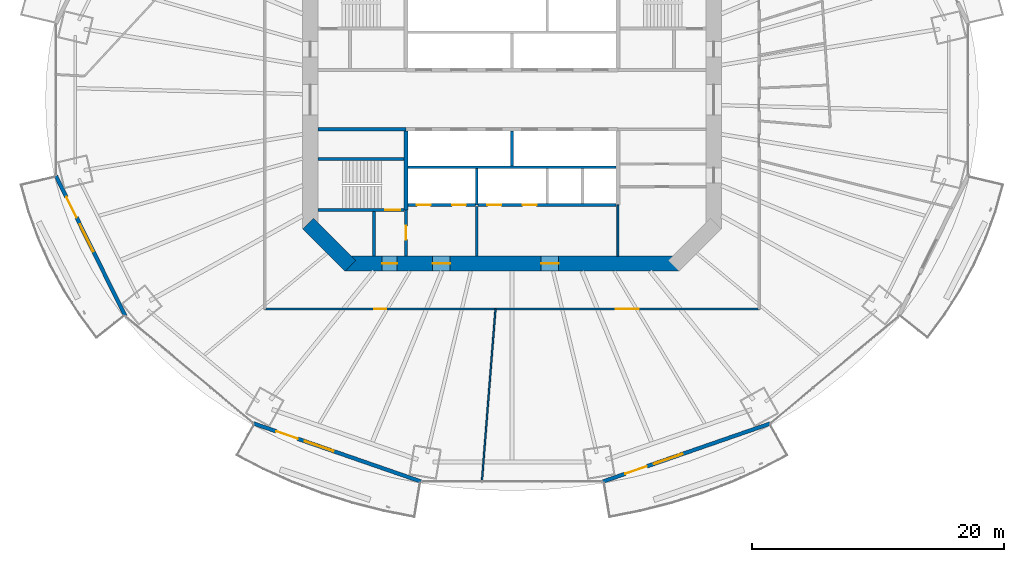
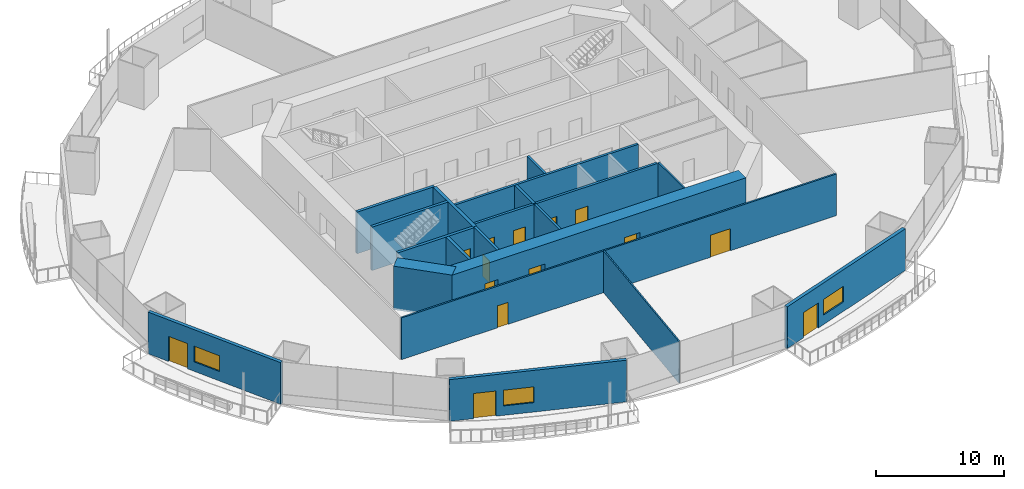
# One storey, part 14 of 23: 20 walls, 14 doors, 3 windows, 17 openings.
"""IFC4 building model written with IfcOpenShell, lengths in metres."""

from ifc_helpers import new_model, si_unit, direction, frame, frame_2d, origin, place, context, subcontext, project, spatial, rectangle, extrude, material, layer, layer_set, type_object, element, fill, save


model = new_model("IFC4")

# Units and contexts
model_context = context("Model", 3, precision=1e-05, world=origin(), true_north=direction((0.0, 1.0)))
body_context = subcontext(model_context, "Body", "Model", "MODEL_VIEW")
ifc_project = project(units=[si_unit("LENGTHUNIT", "METRE"), si_unit("AREAUNIT", "SQUARE_METRE"), si_unit("VOLUMEUNIT", "CUBIC_METRE"), si_unit("PLANEANGLEUNIT", "RADIAN"), si_unit("MASSUNIT", "GRAM", prefix="KILO")], contexts=[model_context])

# Site, building, storey
site_placement = place(None, origin())
site = spatial("IfcSite", under=ifc_project, at=site_placement, CompositionType="ELEMENT")
building_placement = place(site_placement, origin())
building = spatial("IfcBuilding", under=site, at=building_placement, Name="Marenthal Gate Tower", CompositionType="ELEMENT")
storey_placement = place(building_placement, frame((0.0, 0.0, 37.14990234375)))
storey = spatial("IfcBuildingStorey", under=building, at=storey_placement, Name="L05", CompositionType="ELEMENT", Elevation=37.14990234375)

# Wall
ifc_material_1 = material(Name="Concrete 60 MPa", Category="concrete")
ifc_layer_1 = layer(ifc_material_1, 1.199951171875)
ifc_layer_set_1 = layer_set([ifc_layer_1], Name="Core shear wall 1200")
wall_type_1 = type_object("IfcWallType", Name="Core shear wall 1200", PredefinedType="SHEAR", material=ifc_layer_set_1)
wall_1_placement = place(storey_placement, frame((-16.17578125, -9.82421875, -0.179931640625), z_axis=(0.0, 0.0, 1.0), x_axis=(0.707106781187, -0.707106781187, 0.0)))
element("IfcWall", 1, at=wall_1_placement, inside=storey, type_object=wall_type_1, Name="Core wall 07", PredefinedType="SHEAR", context=body_context, shape_type="SweptSolid", body=[
    extrude(rectangle(XDim=4.73974609375, YDim=1.199951171875, at=frame_2d((2.369873046875, 0.0))), origin(), (0.0, 0.0, 1.0), 4.150146484375),
])

# Wall, openings, doors
wall_2_placement = place(storey_placement, frame((-13.24853515625, -13.0, -0.179931640625), z_axis=(0.0, 0.0, 1.0), x_axis=(1.0, 0.0, 0.0)))
wall_2 = element("IfcWall", 2, at=wall_2_placement, inside=storey, type_object=wall_type_1, Name="Core wall 08", PredefinedType="SHEAR", context=body_context, shape_type="SweptSolid", body=[
    extrude(rectangle(XDim=26.4970703125, YDim=1.199951171875, at=frame_2d((13.24853515625, 0.0))), origin(), (0.0, 0.0, 1.0), 4.150146484375),
])
opening_1_placement = place(wall_2_placement, frame((2.948486328125, 0.0, 0.179931640625)))
opening_1 = element("IfcOpeningElement", 3, at=opening_1_placement, cuts=wall_2, Name="Opening D001.06", PredefinedType="OPENING", context=body_context, shape_type="SweptSolid", body=[
    extrude(rectangle(XDim=1.199951171875, YDim=2.10009765625, at=frame_2d((0.60009765625, 1.050048828125))), frame((0.0, 0.60986328125, 0.0), z_axis=(0.0, -1.0, 0.0), x_axis=(1.0, 0.0, 0.0)), (0.0, 0.0, 1.0), 1.219970703125),
])
opening_2_placement = place(wall_2_placement, frame((6.948486328125, 0.0, 0.179931640625)))
opening_2 = element("IfcOpeningElement", 4, at=opening_2_placement, cuts=wall_2, Name="Opening D004.01", PredefinedType="OPENING", context=body_context, shape_type="SweptSolid", body=[
    extrude(rectangle(XDim=1.39990234375, YDim=2.10009765625, at=frame_2d((0.699951171875, 1.050048828125))), frame((0.0, 0.60986328125, 0.0), z_axis=(0.0, -1.0, 0.0), x_axis=(1.0, 0.0, 0.0)), (0.0, 0.0, 1.0), 1.219970703125),
])
opening_3_placement = place(wall_2_placement, frame((15.548583984375, 0.0, 0.179931640625)))
opening_3 = element("IfcOpeningElement", 5, at=opening_3_placement, cuts=wall_2, Name="Opening D004.02", PredefinedType="OPENING", context=body_context, shape_type="SweptSolid", body=[
    extrude(rectangle(XDim=1.39990234375, YDim=2.10009765625, at=frame_2d((0.699951171875, 1.050048828125))), frame((0.0, 0.60986328125, 0.0), z_axis=(0.0, -1.0, 0.0), x_axis=(1.0, 0.0, 0.0)), (0.0, 0.0, 1.0), 1.219970703125),
])
ifc_material_2 = material(Name="Steel fire door", Category="steel")
door_type_1 = type_object("IfcDoorType", Name="Fire door FD 45 1400 x 2100", OperationType="NOTDEFINED", PredefinedType="DOOR", material=ifc_material_2)
door_1_placement = place(opening_2_placement, origin())
door_1 = element("IfcDoor", 6, at=door_1_placement, inside=storey, type_object=door_type_1, Name="Door D004.01", OperationType="SINGLE_SWING_RIGHT", OverallHeight=2.10009765625, OverallWidth=1.39990234375, PredefinedType="DOOR", context=body_context, shape_type="SweptSolid", body=[
    extrude(rectangle(XDim=1.39990234375, YDim=2.10009765625, at=frame_2d((0.699951171875, 1.050048828125))), frame((0.0, 0.02490234375, 0.0), z_axis=(0.0, -1.0, 0.0), x_axis=(1.0, 0.0, 0.0)), (0.0, 0.0, 1.0), 0.050048828125),
])
fill(opening_2, door_1)
door_2_placement = place(opening_3_placement, origin())
door_2 = element("IfcDoor", 7, at=door_2_placement, inside=storey, type_object=door_type_1, Name="Door D004.02", OperationType="SINGLE_SWING_RIGHT", OverallHeight=2.10009765625, OverallWidth=1.39990234375, PredefinedType="DOOR", context=body_context, shape_type="SweptSolid", body=[
    extrude(rectangle(XDim=1.39990234375, YDim=2.10009765625, at=frame_2d((0.699951171875, 1.050048828125))), frame((0.0, 0.02490234375, 0.0), z_axis=(0.0, -1.0, 0.0), x_axis=(1.0, 0.0, 0.0)), (0.0, 0.0, 1.0), 0.050048828125),
])
fill(opening_3, door_2)
ifc_material_3 = material(Name="Steel fire door", Category="steel")
door_type_2 = type_object("IfcDoorType", Name="Fire door FD 90 1200 x 2100", OperationType="NOTDEFINED", PredefinedType="DOOR", material=ifc_material_3)
door_3_placement = place(opening_1_placement, origin())
door_3 = element("IfcDoor", 8, at=door_3_placement, inside=storey, type_object=door_type_2, Name="Door D001.06", OperationType="SINGLE_SWING_RIGHT", OverallHeight=2.10009765625, OverallWidth=1.199951171875, PredefinedType="DOOR", context=body_context, shape_type="SweptSolid", body=[
    extrude(rectangle(XDim=1.199951171875, YDim=2.10009765625, at=frame_2d((0.60009765625, 1.050048828125))), frame((0.0, 0.02490234375, 0.0), z_axis=(0.0, -1.0, 0.0), x_axis=(1.0, 0.0, 0.0)), (0.0, 0.0, 1.0), 0.050048828125),
])
fill(opening_1, door_3)

# Walls
ifc_material_4 = material(Name="Gypsum board on steel studs", Category="steel")
ifc_layer_2 = layer(ifc_material_4, 0.199951171875)
ifc_layer_set_2 = layer_set([ifc_layer_2], Name="Fire lobby wall 200")
wall_type_2 = type_object("IfcWallType", Name="Fire lobby wall 200", PredefinedType="PARTITIONING", material=ifc_layer_set_2)
wall_3_placement = place(storey_placement, frame((-2.800048828125, -12.39990234375, 0.0), z_axis=(0.0, 0.0, 1.0), x_axis=(0.0, 1.0, 0.0)))
element("IfcWall", 9, at=wall_3_placement, inside=storey, type_object=wall_type_2, Name="Fire wall 35", PredefinedType="PARTITIONING", context=body_context, shape_type="SweptSolid", body=[
    extrude(rectangle(XDim=3.93994140625, YDim=0.199951171875, at=frame_2d((1.969970703125, 0.0))), origin(), (0.0, 0.0, 1.0), 3.97021484375),
])
ifc_material_5 = material(Name="Concrete 50 MPa", Category="concrete")
ifc_layer_3 = layer(ifc_material_5, 0.300048828125)
ifc_layer_set_3 = layer_set([ifc_layer_3], Name="Hoistway shear wall 300")
wall_type_3 = type_object("IfcWallType", Name="Hoistway shear wall 300", PredefinedType="SHEAR", material=ifc_layer_set_3)
wall_4_placement = place(storey_placement, frame((-8.39990234375, -8.75, -0.179931640625), z_axis=(0.0, 0.0, 1.0), x_axis=(0.0, 1.0, 0.0)))
element("IfcWall", 10, at=wall_4_placement, inside=storey, type_object=wall_type_3, Name="Hoistway wall 31", PredefinedType="SHEAR", context=body_context, shape_type="SweptSolid", body=[
    extrude(rectangle(XDim=6.25, YDim=0.300048828125, at=frame_2d((3.125, 0.0))), origin(), (0.0, 0.0, 1.0), 4.150146484375),
])

# Wall, openings, doors
ifc_material_6 = material(Name="Concrete 40 MPa", Category="concrete")
ifc_layer_4 = layer(ifc_material_6, 0.219970703125)
ifc_layer_set_4 = layer_set([ifc_layer_4], Name="Hoistway wall 220")
wall_type_4 = type_object("IfcWallType", Name="Hoistway wall 220", PredefinedType="STANDARD", material=ifc_layer_set_4)
wall_5_placement = place(storey_placement, frame((-8.25, -8.35009765625, 0.0), z_axis=(0.0, 0.0, 1.0), x_axis=(1.0, 0.0, 0.0)))
wall_5 = element("IfcWall", 11, at=wall_5_placement, inside=storey, type_object=wall_type_4, Name="Hoistway wall 10", PredefinedType="STANDARD", context=body_context, shape_type="SweptSolid", body=[
    extrude(rectangle(XDim=5.340087890625, YDim=0.219970703125, at=frame_2d((2.669921875, 0.0))), origin(), (0.0, 0.0, 1.0), 3.97021484375),
])
opening_4_placement = place(wall_5_placement, frame((0.699951171875, 0.0, 0.0)))
opening_4 = element("IfcOpeningElement", 12, at=opening_4_placement, cuts=wall_5, Name="Opening LD-LF1", PredefinedType="OPENING", context=body_context, shape_type="SweptSolid", body=[
    extrude(rectangle(XDim=1.10009765625, YDim=2.10009765625, at=frame_2d((0.550048828125, 1.050048828125))), frame((0.0, 0.1201171875, 0.0), z_axis=(0.0, -1.0, 0.0), x_axis=(1.0, 0.0, 0.0)), (0.0, 0.0, 1.0), 0.239990234375),
])
opening_5_placement = place(wall_5_placement, frame((3.5, 0.0, 0.0)))
opening_5 = element("IfcOpeningElement", 13, at=opening_5_placement, cuts=wall_5, Name="Opening LD-LF2", PredefinedType="OPENING", context=body_context, shape_type="SweptSolid", body=[
    extrude(rectangle(XDim=1.10009765625, YDim=2.10009765625, at=frame_2d((0.550048828125, 1.050048828125))), frame((0.0, 0.1201171875, 0.0), z_axis=(0.0, -1.0, 0.0), x_axis=(1.0, 0.0, 0.0)), (0.0, 0.0, 1.0), 0.239990234375),
])
ifc_material_7 = material(Name="Stainless steel sliding door", Category="steel")
door_type_3 = type_object("IfcDoorType", Name="Lift landing door FD 90 1100 x 2100", OperationType="DOUBLE_DOOR_SLIDING", PredefinedType="DOOR", material=ifc_material_7)
door_4_placement = place(opening_4_placement, origin())
door_4 = element("IfcDoor", 14, at=door_4_placement, inside=storey, type_object=door_type_3, Name="Lift landing door LF1", OperationType="DOUBLE_DOOR_SLIDING", OverallHeight=2.10009765625, OverallWidth=1.10009765625, PredefinedType="DOOR", context=body_context, shape_type="SweptSolid", body=[
    extrude(rectangle(XDim=1.10009765625, YDim=2.10009765625, at=frame_2d((0.550048828125, 1.050048828125))), frame((0.0, 0.02490234375, 0.0), z_axis=(0.0, -1.0, 0.0), x_axis=(1.0, 0.0, 0.0)), (0.0, 0.0, 1.0), 0.050048828125),
])
fill(opening_4, door_4)
door_5_placement = place(opening_5_placement, origin())
door_5 = element("IfcDoor", 15, at=door_5_placement, inside=storey, type_object=door_type_3, Name="Lift landing door LF2", OperationType="DOUBLE_DOOR_SLIDING", OverallHeight=2.10009765625, OverallWidth=1.10009765625, PredefinedType="DOOR", context=body_context, shape_type="SweptSolid", body=[
    extrude(rectangle(XDim=1.10009765625, YDim=2.10009765625, at=frame_2d((0.550048828125, 1.050048828125))), frame((0.0, 0.02490234375, 0.0), z_axis=(0.0, -1.0, 0.0), x_axis=(1.0, 0.0, 0.0)), (0.0, 0.0, 1.0), 0.050048828125),
])
fill(opening_5, door_5)

wall_6_placement = place(storey_placement, frame((-2.68994140625, -8.35009765625, 0.0), z_axis=(0.0, 0.0, 1.0), x_axis=(1.0, 0.0, 0.0)))
wall_6 = element("IfcWall", 16, at=wall_6_placement, inside=storey, type_object=wall_type_4, Name="Hoistway wall 11", PredefinedType="STANDARD", context=body_context, shape_type="SweptSolid", body=[
    extrude(rectangle(XDim=10.93994140625, YDim=0.219970703125, at=frame_2d((5.469970703125, 0.0))), origin(), (0.0, 0.0, 1.0), 3.97021484375),
])
opening_6_placement = place(wall_6_placement, frame((0.739990234375, 0.0, 0.0)))
opening_6 = element("IfcOpeningElement", 17, at=opening_6_placement, cuts=wall_6, Name="Opening LD-SV1", PredefinedType="OPENING", context=body_context, shape_type="SweptSolid", body=[
    extrude(rectangle(XDim=1.10009765625, YDim=2.10009765625, at=frame_2d((0.550048828125, 1.050048828125))), frame((0.0, 0.1201171875, 0.0), z_axis=(0.0, -1.0, 0.0), x_axis=(1.0, 0.0, 0.0)), (0.0, 0.0, 1.0), 0.239990234375),
])
opening_7_placement = place(wall_6_placement, frame((3.5400390625, 0.0, 0.0)))
opening_7 = element("IfcOpeningElement", 18, at=opening_7_placement, cuts=wall_6, Name="Opening LD-SV2", PredefinedType="OPENING", context=body_context, shape_type="SweptSolid", body=[
    extrude(rectangle(XDim=1.10009765625, YDim=2.10009765625, at=frame_2d((0.550048828125, 1.050048828125))), frame((0.0, 0.1201171875, 0.0), z_axis=(0.0, -1.0, 0.0), x_axis=(1.0, 0.0, 0.0)), (0.0, 0.0, 1.0), 0.239990234375),
])
door_6_placement = place(opening_6_placement, origin())
door_6 = element("IfcDoor", 19, at=door_6_placement, inside=storey, type_object=door_type_3, Name="Lift landing door SV1", OperationType="DOUBLE_DOOR_SLIDING", OverallHeight=2.10009765625, OverallWidth=1.10009765625, PredefinedType="DOOR", context=body_context, shape_type="SweptSolid", body=[
    extrude(rectangle(XDim=1.10009765625, YDim=2.10009765625, at=frame_2d((0.550048828125, 1.050048828125))), frame((0.0, 0.02490234375, 0.0), z_axis=(0.0, -1.0, 0.0), x_axis=(1.0, 0.0, 0.0)), (0.0, 0.0, 1.0), 0.050048828125),
])
fill(opening_6, door_6)
door_7_placement = place(opening_7_placement, origin())
door_7 = element("IfcDoor", 20, at=door_7_placement, inside=storey, type_object=door_type_3, Name="Lift landing door SV2", OperationType="DOUBLE_DOOR_SLIDING", OverallHeight=2.10009765625, OverallWidth=1.10009765625, PredefinedType="DOOR", context=body_context, shape_type="SweptSolid", body=[
    extrude(rectangle(XDim=1.10009765625, YDim=2.10009765625, at=frame_2d((0.550048828125, 1.050048828125))), frame((0.0, 0.02490234375, 0.0), z_axis=(0.0, -1.0, 0.0), x_axis=(1.0, 0.0, 0.0)), (0.0, 0.0, 1.0), 0.050048828125),
])
fill(opening_7, door_7)

# Walls
wall_7_placement = place(storey_placement, frame((-8.25, -5.35009765625, 0.0), z_axis=(0.0, 0.0, 1.0), x_axis=(1.0, 0.0, 0.0)))
element("IfcWall", 21, at=wall_7_placement, inside=storey, type_object=wall_type_4, Name="Hoistway wall 13", PredefinedType="STANDARD", context=body_context, shape_type="SweptSolid", body=[
    extrude(rectangle(XDim=16.5, YDim=0.219970703125, at=frame_2d((8.25, 0.0))), origin(), (0.0, 0.0, 1.0), 3.97021484375),
])
wall_8_placement = place(storey_placement, frame((-2.800048828125, -8.35009765625, 0.0), z_axis=(0.0, 0.0, 1.0), x_axis=(0.0, 1.0, 0.0)))
element("IfcWall", 22, at=wall_8_placement, inside=storey, type_object=wall_type_4, Name="Hoistway wall 36", PredefinedType="STANDARD", context=body_context, shape_type="SweptSolid", body=[
    extrude(rectangle(XDim=2.89013671875, YDim=0.219970703125, at=frame_2d((1.445068359375, 0.0))), origin(), (0.0, 0.0, 1.0), 3.97021484375),
])
wall_9_placement = place(storey_placement, frame((0.0, -5.239990234375, 0.0), z_axis=(0.0, 0.0, 1.0), x_axis=(0.0, 1.0, 0.0)))
element("IfcWall", 23, at=wall_9_placement, inside=storey, type_object=wall_type_4, Name="Hoistway wall 37", PredefinedType="STANDARD", context=body_context, shape_type="SweptSolid", body=[
    extrude(rectangle(XDim=2.739990234375, YDim=0.219970703125, at=frame_2d((1.3701171875, 0.0))), origin(), (0.0, 0.0, 1.0), 3.97021484375),
])
ifc_material_8 = material(Name="Gypsum board on steel studs", Category="steel")
ifc_layer_5 = layer(ifc_material_8, 0.1201171875)
ifc_layer_set_5 = layer_set([ifc_layer_5], Name="Partition 120")
wall_type_5 = type_object("IfcWallType", Name="Partition 120", PredefinedType="PARTITIONING", material=ifc_layer_set_5)
wall_10_placement = place(storey_placement, frame((-1.30908203125, -16.60009765625, 0.0), z_axis=(0.0, 0.0, 1.0), x_axis=(-0.078600169401, -0.996906220951, 0.0)))
element("IfcWall", 24, at=wall_10_placement, inside=storey, type_object=wall_type_5, Name="Partition wall 53", PredefinedType="PARTITIONING", context=body_context, shape_type="SweptSolid", body=[
    extrude(rectangle(XDim=13.72900390625, YDim=0.1201171875, at=frame_2d((6.864501953125, 0.0))), origin(), (0.0, 0.0, 1.0), 3.97021484375),
])
ifc_material_9 = material(Name="Gypsum board on steel studs", Category="steel")
ifc_layer_6 = layer(ifc_material_9, 0.14990234375)
ifc_layer_set_6 = layer_set([ifc_layer_6], Name="Partition 150")
wall_type_6 = type_object("IfcWallType", Name="Partition 150", PredefinedType="PARTITIONING", material=ifc_layer_set_6)
wall_11_placement = place(storey_placement, frame((8.39990234375, -12.39990234375, 0.0), z_axis=(0.0, 0.0, 1.0), x_axis=(0.0, 1.0, 0.0)))
element("IfcWall", 25, at=wall_11_placement, inside=storey, type_object=wall_type_6, Name="Partition wall 42", PredefinedType="PARTITIONING", context=body_context, shape_type="SweptSolid", body=[
    extrude(rectangle(XDim=4.0498046875, YDim=0.14990234375, at=frame_2d((2.02490234375, 0.0))), origin(), (0.0, 0.0, 1.0), 3.97021484375),
])

# Wall, openings, doors
wall_12_placement = place(storey_placement, frame((19.60009765625, -16.60009765625, 0.0), z_axis=(0.0, 0.0, 1.0), x_axis=(-1.0, 0.0, 0.0)))
wall_12 = element("IfcWall", 26, at=wall_12_placement, inside=storey, type_object=wall_type_6, Name="Partition wall 54", PredefinedType="PARTITIONING", context=body_context, shape_type="SweptSolid", body=[
    extrude(rectangle(XDim=39.2001953125, YDim=0.14990234375, at=frame_2d((19.60009765625, 0.0))), origin(), (0.0, 0.0, 1.0), 3.97021484375),
])
opening_8_placement = place(wall_12_placement, frame((29.580078125, 0.0, 0.0)))
opening_8 = element("IfcOpeningElement", 27, at=opening_8_placement, cuts=wall_12, Name="Opening D016.02", PredefinedType="OPENING", context=body_context, shape_type="SweptSolid", body=[
    extrude(rectangle(XDim=0.949951171875, YDim=2.10009765625, at=frame_2d((0.47509765625, 1.050048828125))), frame((0.0, 0.0849609375, 0.0), z_axis=(0.0, -1.0, 0.0), x_axis=(1.0, 0.0, 0.0)), (0.0, 0.0, 1.0), 0.169921875),
])
opening_9_placement = place(wall_12_placement, frame((9.554931640625, 0.0, 0.0)))
opening_9 = element("IfcOpeningElement", 28, at=opening_9_placement, cuts=wall_12, Name="Opening D014.03", PredefinedType="OPENING", context=body_context, shape_type="SweptSolid", body=[
    extrude(rectangle(XDim=1.800048828125, YDim=2.10009765625, at=frame_2d((0.89990234375, 1.050048828125))), frame((0.0, 0.0849609375, 0.0), z_axis=(0.0, -1.0, 0.0), x_axis=(1.0, 0.0, 0.0)), (0.0, 0.0, 1.0), 0.169921875),
])
ifc_material_10 = material(Name="Timber door", Category="wood")
door_type_4 = type_object("IfcDoorType", Name="Door 950 x 2100", OperationType="NOTDEFINED", PredefinedType="DOOR", material=ifc_material_10)
door_8_placement = place(opening_8_placement, origin())
door_8 = element("IfcDoor", 29, at=door_8_placement, inside=storey, type_object=door_type_4, Name="Door D016.02", OperationType="SINGLE_SWING_RIGHT", OverallHeight=2.10009765625, OverallWidth=0.949951171875, PredefinedType="DOOR", context=body_context, shape_type="SweptSolid", body=[
    extrude(rectangle(XDim=0.949951171875, YDim=2.10009765625, at=frame_2d((0.47509765625, 1.050048828125))), frame((0.0, 0.02490234375, 0.0), z_axis=(0.0, -1.0, 0.0), x_axis=(1.0, 0.0, 0.0)), (0.0, 0.0, 1.0), 0.050048828125),
])
fill(opening_8, door_8)
ifc_material_11 = material(Name="Timber door", Category="wood")
door_type_5 = type_object("IfcDoorType", Name="Double door 1800 x 2100", OperationType="DOUBLE_DOOR_SINGLE_SWING", PredefinedType="DOOR", material=ifc_material_11)
door_9_placement = place(opening_9_placement, origin())
door_9 = element("IfcDoor", 30, at=door_9_placement, inside=storey, type_object=door_type_5, Name="Door D014.03", OperationType="DOUBLE_DOOR_SINGLE_SWING", OverallHeight=2.10009765625, OverallWidth=1.800048828125, PredefinedType="DOOR", context=body_context, shape_type="SweptSolid", body=[
    extrude(rectangle(XDim=1.800048828125, YDim=2.10009765625, at=frame_2d((0.89990234375, 1.050048828125))), frame((0.0, 0.02490234375, 0.0), z_axis=(0.0, -1.0, 0.0), x_axis=(1.0, 0.0, 0.0)), (0.0, 0.0, 1.0), 0.050048828125),
])
fill(opening_9, door_9)

# Walls
ifc_material_12 = material(Name="Concrete 40 MPa", Category="concrete")
ifc_layer_7 = layer(ifc_material_12, 0.25)
ifc_layer_set_7 = layer_set([ifc_layer_7], Name="Stair enclosure wall 250")
wall_type_7 = type_object("IfcWallType", Name="Stair enclosure wall 250", PredefinedType="STANDARD", material=ifc_layer_set_7)
wall_13_placement = place(storey_placement, frame((-15.39990234375, -2.35009765625, 0.0), z_axis=(0.0, 0.0, 1.0), x_axis=(1.0, 0.0, 0.0)))
element("IfcWall", 31, at=wall_13_placement, inside=storey, type_object=wall_type_7, Name="Stair wall 16", PredefinedType="STANDARD", context=body_context, shape_type="SweptSolid", body=[
    extrude(rectangle(XDim=7.0, YDim=0.25, at=frame_2d((3.5, 0.0))), origin(), (0.0, 0.0, 1.0), 3.97021484375),
])
wall_14_placement = place(storey_placement, frame((-10.949951171875, -12.39990234375, 0.0), z_axis=(0.0, 0.0, 1.0), x_axis=(0.0, 1.0, 0.0)))
element("IfcWall", 32, at=wall_14_placement, inside=storey, type_object=wall_type_7, Name="Stair wall 29", PredefinedType="STANDARD", context=body_context, shape_type="SweptSolid", body=[
    extrude(rectangle(XDim=3.52490234375, YDim=0.25, at=frame_2d((1.762451171875, 0.0))), origin(), (0.0, 0.0, 1.0), 3.97021484375),
])

# Wall, opening, door
wall_15_placement = place(storey_placement, frame((-8.39990234375, -12.39990234375, 0.0), z_axis=(0.0, 0.0, 1.0), x_axis=(0.0, 1.0, 0.0)))
wall_15 = element("IfcWall", 33, at=wall_15_placement, inside=storey, type_object=wall_type_7, Name="Stair wall 30", PredefinedType="STANDARD", context=body_context, shape_type="SweptSolid", body=[
    extrude(rectangle(XDim=3.64990234375, YDim=0.25, at=frame_2d((1.824951171875, 0.0))), origin(), (0.0, 0.0, 1.0), 3.97021484375),
])
opening_10_placement = place(wall_15_placement, frame((1.300048828125, 0.0, 0.0)))
opening_10 = element("IfcOpeningElement", 34, at=opening_10_placement, cuts=wall_15, Name="Opening D002.01", PredefinedType="OPENING", context=body_context, shape_type="SweptSolid", body=[
    extrude(rectangle(XDim=1.10009765625, YDim=2.10009765625, at=frame_2d((0.550048828125, 1.050048828125))), frame((0.0, 0.135009765625, 0.0), z_axis=(0.0, -1.0, 0.0), x_axis=(1.0, 0.0, 0.0)), (0.0, 0.0, 1.0), 0.27001953125),
])
ifc_material_13 = material(Name="Steel fire door", Category="steel")
door_type_6 = type_object("IfcDoorType", Name="Fire door FD 90 1100 x 2100", OperationType="NOTDEFINED", PredefinedType="DOOR", material=ifc_material_13)
door_10_placement = place(opening_10_placement, origin())
door_10 = element("IfcDoor", 35, at=door_10_placement, inside=storey, type_object=door_type_6, Name="Door D002.01", OperationType="SINGLE_SWING_RIGHT", OverallHeight=2.10009765625, OverallWidth=1.10009765625, PredefinedType="DOOR", context=body_context, shape_type="SweptSolid", body=[
    extrude(rectangle(XDim=1.10009765625, YDim=2.10009765625, at=frame_2d((0.550048828125, 1.050048828125))), frame((0.0, 0.02490234375, 0.0), z_axis=(0.0, -1.0, 0.0), x_axis=(1.0, 0.0, 0.0)), (0.0, 0.0, 1.0), 0.050048828125),
])
fill(opening_10, door_10)

ifc_material_14 = material(Name="Concrete 50 MPa", Category="concrete")
ifc_layer_8 = layer(ifc_material_14, 0.25)
ifc_layer_set_8 = layer_set([ifc_layer_8], Name="Stair shear wall 250")
wall_type_8 = type_object("IfcWallType", Name="Stair shear wall 250", PredefinedType="SHEAR", material=ifc_layer_set_8)
wall_16_placement = place(storey_placement, frame((-15.39990234375, -8.75, -0.179931640625), z_axis=(0.0, 0.0, 1.0), x_axis=(1.0, 0.0, 0.0)))
wall_16 = element("IfcWall", 36, at=wall_16_placement, inside=storey, type_object=wall_type_8, Name="Stair wall 09", PredefinedType="SHEAR", context=body_context, shape_type="SweptSolid", body=[
    extrude(rectangle(XDim=6.849853515625, YDim=0.25, at=frame_2d((3.4248046875, 0.0))), origin(), (0.0, 0.0, 1.0), 4.150146484375),
])
opening_11_placement = place(wall_16_placement, frame((5.35009765625, 0.0, 0.179931640625)))
opening_11 = element("IfcOpeningElement", 37, at=opening_11_placement, cuts=wall_16, Name="Opening D001.03", PredefinedType="OPENING", context=body_context, shape_type="SweptSolid", body=[
    extrude(rectangle(XDim=1.199951171875, YDim=2.10009765625, at=frame_2d((0.60009765625, 1.050048828125))), frame((0.0, 0.135009765625, 0.0), z_axis=(0.0, -1.0, 0.0), x_axis=(1.0, 0.0, 0.0)), (0.0, 0.0, 1.0), 0.27001953125),
])
door_11_placement = place(opening_11_placement, origin())
door_11 = element("IfcDoor", 38, at=door_11_placement, inside=storey, type_object=door_type_2, Name="Door D001.03", OperationType="SINGLE_SWING_RIGHT", OverallHeight=2.10009765625, OverallWidth=1.199951171875, PredefinedType="DOOR", context=body_context, shape_type="SweptSolid", body=[
    extrude(rectangle(XDim=1.199951171875, YDim=2.10009765625, at=frame_2d((0.60009765625, 1.050048828125))), frame((0.0, 0.02490234375, 0.0), z_axis=(0.0, -1.0, 0.0), x_axis=(1.0, 0.0, 0.0)), (0.0, 0.0, 1.0), 0.050048828125),
])
fill(opening_11, door_11)

# Wall
wall_17_placement = place(storey_placement, frame((-15.39990234375, -4.699951171875, -0.179931640625), z_axis=(0.0, 0.0, 1.0), x_axis=(1.0, 0.0, 0.0)))
element("IfcWall", 39, at=wall_17_placement, inside=storey, type_object=wall_type_8, Name="Stair wall 15", PredefinedType="SHEAR", context=body_context, shape_type="SweptSolid", body=[
    extrude(rectangle(XDim=6.849853515625, YDim=0.25, at=frame_2d((3.4248046875, 0.0))), origin(), (0.0, 0.0, 1.0), 4.150146484375),
])

# Wall, openings, door, window
ifc_material_15 = material(Name="Terracotta cladding on insulated concrete-block backing", Category="masonry")
ifc_layer_9 = layer(ifc_material_15, 0.300048828125)
ifc_layer_set_9 = layer_set([ifc_layer_9], Name="Terracotta facade wall 300")
wall_type_9 = type_object("IfcWallType", Name="Terracotta facade wall 300", PredefinedType="SOLIDWALL", material=ifc_layer_set_9)
wall_18_placement = place(storey_placement, frame((-36.17138671875, -6.0244140625, 0.0), z_axis=(0.0, 0.0, 1.0), x_axis=(0.443411588907, -0.896318114747, 0.0)))
wall_18 = element("IfcWall", 40, at=wall_18_placement, inside=storey, type_object=wall_type_9, Name="Terracotta facade wall L05 bay 9", PredefinedType="SOLIDWALL", context=body_context, shape_type="SweptSolid", body=[
    extrude(rectangle(XDim=12.419189453125, YDim=0.300048828125, at=frame_2d((6.20947265625, 0.0))), origin(), (0.0, 0.0, 1.0), 3.97021484375),
])
opening_12_placement = place(wall_18_placement, frame((1.89990234375, 0.0, 0.0)))
opening_12 = element("IfcOpeningElement", 41, at=opening_12_placement, cuts=wall_18, Name="Opening BD-L05-09", PredefinedType="OPENING", context=body_context, shape_type="SweptSolid", body=[
    extrude(rectangle(XDim=1.800048828125, YDim=2.39990234375, at=frame_2d((0.89990234375, 1.199951171875))), frame((0.0, 0.16015625, 0.0), z_axis=(0.0, -1.0, 0.0), x_axis=(1.0, 0.0, 0.0)), (0.0, 0.0, 1.0), 0.320068359375),
])
opening_13_placement = place(wall_18_placement, frame((4.300048828125, 0.0, 0.89990234375)))
opening_13 = element("IfcOpeningElement", 42, at=opening_13_placement, cuts=wall_18, Name="Opening WN1-L05-09", PredefinedType="OPENING", context=body_context, shape_type="SweptSolid", body=[
    extrude(rectangle(XDim=2.39990234375, YDim=1.5, at=frame_2d((1.199951171875, 0.75))), frame((0.0, 0.16015625, 0.0), z_axis=(0.0, -1.0, 0.0), x_axis=(1.0, 0.0, 0.0)), (0.0, 0.0, 1.0), 0.320068359375),
])
ifc_material_16 = material(Name="Aluminium and glass", Category="aluminium")
door_type_7 = type_object("IfcDoorType", Name="Balcony door 1800x2400", OperationType="DOUBLE_DOOR_SINGLE_SWING", PredefinedType="DOOR", material=ifc_material_16)
door_12_placement = place(opening_12_placement, origin())
door_12 = element("IfcDoor", 43, at=door_12_placement, inside=storey, type_object=door_type_7, Name="Balcony door L05 bay 9", OperationType="SINGLE_SWING_LEFT", OverallHeight=2.39990234375, OverallWidth=1.800048828125, PredefinedType="DOOR", context=body_context, shape_type="SweptSolid", body=[
    extrude(rectangle(XDim=1.800048828125, YDim=2.39990234375, at=frame_2d((0.89990234375, 1.199951171875))), frame((0.0, 0.02490234375, 0.0), z_axis=(0.0, -1.0, 0.0), x_axis=(1.0, 0.0, 0.0)), (0.0, 0.0, 1.0), 0.050048828125),
])
fill(opening_12, door_12)
ifc_material_17 = material(Name="Aluminium and glass", Category="aluminium")
window_type = type_object("IfcWindowType", Name="Window 2400x1500", PartitioningType="TRIPLE_PANEL_VERTICAL", PredefinedType="WINDOW", material=ifc_material_17)
window_1_placement = place(opening_13_placement, origin())
window_1 = element("IfcWindow", 44, at=window_1_placement, inside=storey, type_object=window_type, Name="Window L05 bay 9", OverallHeight=1.5, OverallWidth=2.39990234375, PartitioningType="SINGLE_PANEL", PredefinedType="WINDOW", context=body_context, shape_type="SweptSolid", body=[
    extrude(rectangle(XDim=2.39990234375, YDim=1.5, at=frame_2d((1.199951171875, 0.75))), frame((0.0, 0.030029296875, 0.0), z_axis=(0.0, -1.0, 0.0), x_axis=(1.0, 0.0, 0.0)), (0.0, 0.0, 1.0), 0.06005859375),
])
fill(opening_13, window_1)

wall_19_placement = place(storey_placement, frame((-20.489501953125, -25.67578125, 0.0), z_axis=(0.0, 0.0, 1.0), x_axis=(0.944791803015, -0.327671251341, 0.0)))
wall_19 = element("IfcWall", 45, at=wall_19_placement, inside=storey, type_object=wall_type_9, Name="Terracotta facade wall L05 bay 11", PredefinedType="SOLIDWALL", context=body_context, shape_type="SweptSolid", body=[
    extrude(rectangle(XDim=14.071533203125, YDim=0.300048828125, at=frame_2d((7.03564453125, 0.0))), origin(), (0.0, 0.0, 1.0), 3.97021484375),
])
opening_14_placement = place(wall_19_placement, frame((1.89990234375, 0.0, 0.0)))
opening_14 = element("IfcOpeningElement", 46, at=opening_14_placement, cuts=wall_19, Name="Opening BD-L05-11", PredefinedType="OPENING", context=body_context, shape_type="SweptSolid", body=[
    extrude(rectangle(XDim=1.800048828125, YDim=2.39990234375, at=frame_2d((0.89990234375, 1.199951171875))), frame((0.0, 0.16015625, 0.0), z_axis=(0.0, -1.0, 0.0), x_axis=(1.0, 0.0, 0.0)), (0.0, 0.0, 1.0), 0.320068359375),
])
opening_15_placement = place(wall_19_placement, frame((4.300048828125, 0.0, 0.89990234375)))
opening_15 = element("IfcOpeningElement", 47, at=opening_15_placement, cuts=wall_19, Name="Opening WN1-L05-11", PredefinedType="OPENING", context=body_context, shape_type="SweptSolid", body=[
    extrude(rectangle(XDim=2.39990234375, YDim=1.5, at=frame_2d((1.199951171875, 0.75))), frame((0.0, 0.16015625, 0.0), z_axis=(0.0, -1.0, 0.0), x_axis=(1.0, 0.0, 0.0)), (0.0, 0.0, 1.0), 0.320068359375),
])
door_13_placement = place(opening_14_placement, origin())
door_13 = element("IfcDoor", 48, at=door_13_placement, inside=storey, type_object=door_type_7, Name="Balcony door L05 bay 11", OperationType="SINGLE_SWING_LEFT", OverallHeight=2.39990234375, OverallWidth=1.800048828125, PredefinedType="DOOR", context=body_context, shape_type="SweptSolid", body=[
    extrude(rectangle(XDim=1.800048828125, YDim=2.39990234375, at=frame_2d((0.89990234375, 1.199951171875))), frame((0.0, 0.02490234375, 0.0), z_axis=(0.0, -1.0, 0.0), x_axis=(1.0, 0.0, 0.0)), (0.0, 0.0, 1.0), 0.050048828125),
])
fill(opening_14, door_13)
window_2_placement = place(opening_15_placement, origin())
window_2 = element("IfcWindow", 49, at=window_2_placement, inside=storey, type_object=window_type, Name="Window L05 bay 11", OverallHeight=1.5, OverallWidth=2.39990234375, PartitioningType="SINGLE_PANEL", PredefinedType="WINDOW", context=body_context, shape_type="SweptSolid", body=[
    extrude(rectangle(XDim=2.39990234375, YDim=1.5, at=frame_2d((1.199951171875, 0.75))), frame((0.0, 0.030029296875, 0.0), z_axis=(0.0, -1.0, 0.0), x_axis=(1.0, 0.0, 0.0)), (0.0, 0.0, 1.0), 0.06005859375),
])
fill(opening_15, window_2)

wall_20_placement = place(storey_placement, frame((7.19482421875, -30.28662109375, 0.0), z_axis=(0.0, 0.0, 1.0), x_axis=(0.944791803015, 0.327671251341, 0.0)))
wall_20 = element("IfcWall", 50, at=wall_20_placement, inside=storey, type_object=wall_type_9, Name="Terracotta facade wall L05 bay 13", PredefinedType="SOLIDWALL", context=body_context, shape_type="SweptSolid", body=[
    extrude(rectangle(XDim=14.071533203125, YDim=0.300048828125, at=frame_2d((7.03564453125, 0.0))), origin(), (0.0, 0.0, 1.0), 3.97021484375),
])
opening_16_placement = place(wall_20_placement, frame((1.89990234375, 0.0, 0.0)))
opening_16 = element("IfcOpeningElement", 51, at=opening_16_placement, cuts=wall_20, Name="Opening BD-L05-13", PredefinedType="OPENING", context=body_context, shape_type="SweptSolid", body=[
    extrude(rectangle(XDim=1.800048828125, YDim=2.39990234375, at=frame_2d((0.89990234375, 1.199951171875))), frame((0.0, 0.16015625, 0.0), z_axis=(0.0, -1.0, 0.0), x_axis=(1.0, 0.0, 0.0)), (0.0, 0.0, 1.0), 0.320068359375),
])
opening_17_placement = place(wall_20_placement, frame((4.300048828125, 0.0, 0.89990234375)))
opening_17 = element("IfcOpeningElement", 52, at=opening_17_placement, cuts=wall_20, Name="Opening WN1-L05-13", PredefinedType="OPENING", context=body_context, shape_type="SweptSolid", body=[
    extrude(rectangle(XDim=2.39990234375, YDim=1.5, at=frame_2d((1.199951171875, 0.75))), frame((0.0, 0.16015625, 0.0), z_axis=(0.0, -1.0, 0.0), x_axis=(1.0, 0.0, 0.0)), (0.0, 0.0, 1.0), 0.320068359375),
])
door_14_placement = place(opening_16_placement, origin())
door_14 = element("IfcDoor", 53, at=door_14_placement, inside=storey, type_object=door_type_7, Name="Balcony door L05 bay 13", OperationType="SINGLE_SWING_LEFT", OverallHeight=2.39990234375, OverallWidth=1.800048828125, PredefinedType="DOOR", context=body_context, shape_type="SweptSolid", body=[
    extrude(rectangle(XDim=1.800048828125, YDim=2.39990234375, at=frame_2d((0.89990234375, 1.199951171875))), frame((0.0, 0.02490234375, 0.0), z_axis=(0.0, -1.0, 0.0), x_axis=(1.0, 0.0, 0.0)), (0.0, 0.0, 1.0), 0.050048828125),
])
fill(opening_16, door_14)
window_3_placement = place(opening_17_placement, origin())
window_3 = element("IfcWindow", 54, at=window_3_placement, inside=storey, type_object=window_type, Name="Window L05 bay 13", OverallHeight=1.5, OverallWidth=2.39990234375, PartitioningType="SINGLE_PANEL", PredefinedType="WINDOW", context=body_context, shape_type="SweptSolid", body=[
    extrude(rectangle(XDim=2.39990234375, YDim=1.5, at=frame_2d((1.199951171875, 0.75))), frame((0.0, 0.030029296875, 0.0), z_axis=(0.0, -1.0, 0.0), x_axis=(1.0, 0.0, 0.0)), (0.0, 0.0, 1.0), 0.06005859375),
])
fill(opening_17, window_3)

save(model, "model.ifc")
